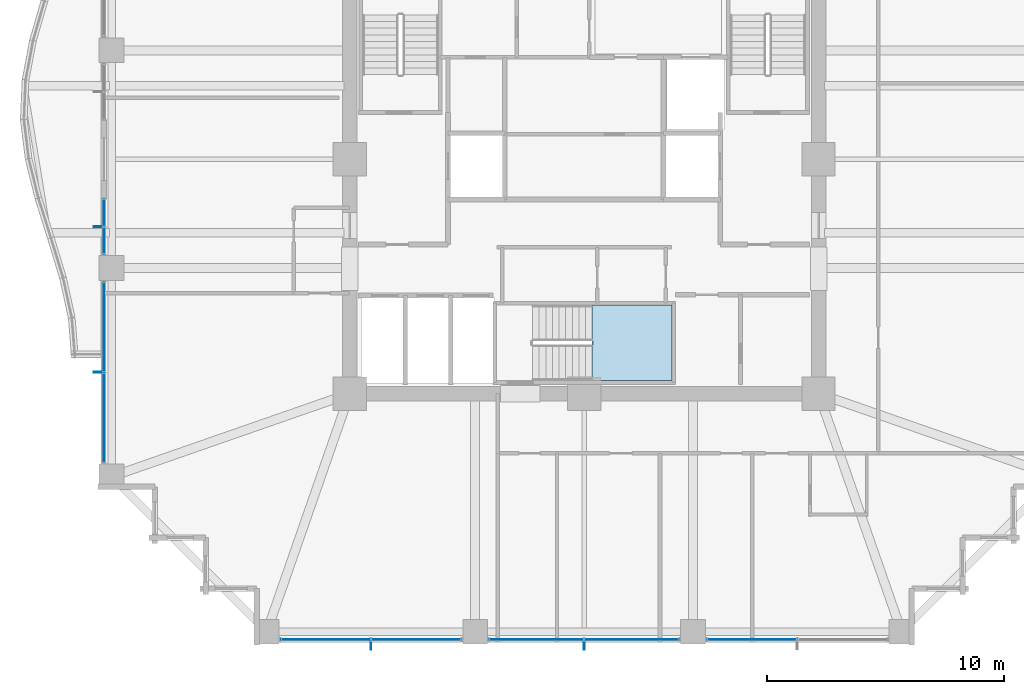
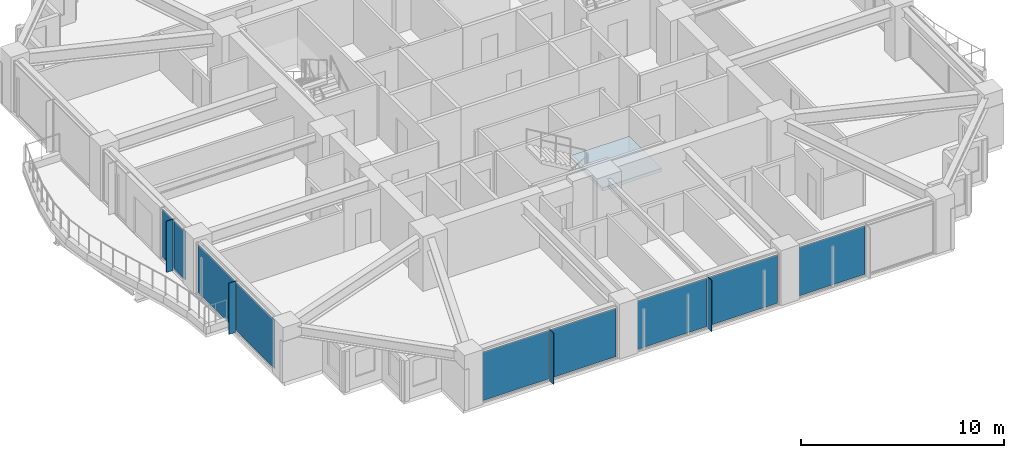
# One storey, part 25 of 36: 13 plates, 1 slab, 6 elements without a shape of their own.
"""IFC4 building model written with IfcOpenShell, lengths in metres."""

from ifc_helpers import new_model, si_unit, direction, frame, origin, origin_2d, place, context, subcontext, project, spatial, polyline, rectangle, outline, extrude, material, layer, layer_set, type_object, element, aggregate, save


model = new_model("IFC4")

# Units and contexts
model_context = context("Model", 3, precision=1e-05, world=origin(), true_north=direction((0.0, 1.0)))
body_context = subcontext(model_context, "Body", "Model", "MODEL_VIEW")
ifc_project = project(units=[si_unit("LENGTHUNIT", "METRE"), si_unit("AREAUNIT", "SQUARE_METRE"), si_unit("VOLUMEUNIT", "CUBIC_METRE"), si_unit("PLANEANGLEUNIT", "RADIAN"), si_unit("MASSUNIT", "GRAM", prefix="KILO")], contexts=[model_context])

# Site, building, storey
site_placement = place(None, origin())
site = spatial("IfcSite", under=ifc_project, at=site_placement, CompositionType="ELEMENT")
building_placement = place(site_placement, origin())
building = spatial("IfcBuilding", under=site, at=building_placement, Name="Kolvaren Belvedere", CompositionType="ELEMENT")
storey_placement = place(building_placement, frame((0.0, 0.0, 95.300048828125)))
storey = spatial("IfcBuildingStorey", under=building, at=storey_placement, Name="L27", CompositionType="ELEMENT", Elevation=95.300048828125)

# Curtain wall, plate
ifc_material_1 = material(Name="Anodised pale-metal aluminium AA 6063-T6", Category="aluminium")
curtain_wall_type = type_object("IfcCurtainWallType", Name="CW-Z2-MID", PredefinedType="NOTDEFINED", material=ifc_material_1)
curtain_wall_1_placement = place(storey_placement, origin())
curtain_wall_1 = element("IfcCurtainWall", 1, at=curtain_wall_1_placement, inside=storey, type_object=curtain_wall_type, Name="L27 Unitised Curtain Wall FCW-L27-S-B1", PredefinedType="NOTDEFINED")
ifc_material_2 = material(Name="Low-iron triple insulated glass", Category="glass")
ifc_layer_1 = layer(ifc_material_2, 0.028076171875)
ifc_layer_set_1 = layer_set([ifc_layer_1], Name="Low-iron triple insulated glass")
plate_type_1 = type_object("IfcPlateType", Name="CW-PNL-VIS28", PredefinedType="CURTAIN_PANEL", material=ifc_layer_set_1)
plate_1_placement = place(storey_placement, frame((7.0888671875, -20.280029296875, 0.080078125), z_axis=(0.0, 0.0, 1.0), x_axis=(-1.0, 0.0, 0.0)))
plate_1 = element("IfcPlate", 2, at=plate_1_placement, type_object=plate_type_1, Name="FCW-L27-S-B1 Vision Glazing Panel 2", PredefinedType="CURTAIN_PANEL", context=body_context, shape_type="SweptSolid", body=[
    extrude(rectangle(XDim=3.742431640625, YDim=0.028076171875, at=origin_2d()), origin(), (0.0, 0.0, 1.0), 2.919921875),
])
aggregate(curtain_wall_1, [plate_1])

# Curtain wall, plates
curtain_wall_2_placement = place(storey_placement, origin())
curtain_wall_2 = element("IfcCurtainWall", 3, at=curtain_wall_2_placement, inside=storey, type_object=curtain_wall_type, Name="L27 Unitised Curtain Wall FCW-L27-S-B2", PredefinedType="NOTDEFINED")
plate_2_placement = place(storey_placement, frame((2.01123046875, -20.280029296875, 0.080078125), z_axis=(0.0, 0.0, 1.0), x_axis=(-1.0, 0.0, 0.0)))
plate_2 = element("IfcPlate", 4, at=plate_2_placement, type_object=plate_type_1, Name="FCW-L27-S-B2 Vision Glazing Panel 1", PredefinedType="CURTAIN_PANEL", context=body_context, shape_type="SweptSolid", body=[
    extrude(rectangle(XDim=3.9423828125, YDim=0.028076171875, at=origin_2d()), origin(), (0.0, 0.0, 1.0), 2.919921875),
])
plate_3_placement = place(storey_placement, frame((-2.01123046875, -20.280029296875, 0.080078125), z_axis=(0.0, 0.0, 1.0), x_axis=(-1.0, 0.0, 0.0)))
plate_3 = element("IfcPlate", 5, at=plate_3_placement, type_object=plate_type_1, Name="FCW-L27-S-B2 Vision Glazing Panel 2", PredefinedType="CURTAIN_PANEL", context=body_context, shape_type="SweptSolid", body=[
    extrude(rectangle(XDim=3.9423828125, YDim=0.028076171875, at=origin_2d()), origin(), (0.0, 0.0, 1.0), 2.919921875),
])
aggregate(curtain_wall_2, [plate_2, plate_3])

curtain_wall_3_placement = place(storey_placement, origin())
curtain_wall_3 = element("IfcCurtainWall", 6, at=curtain_wall_3_placement, inside=storey, type_object=curtain_wall_type, Name="L27 Unitised Curtain Wall FCW-L27-S-B3", PredefinedType="NOTDEFINED")
plate_4_placement = place(storey_placement, frame((-7.0888671875, -20.280029296875, 0.080078125), z_axis=(0.0, 0.0, 1.0), x_axis=(-1.0, 0.0, 0.0)))
plate_4 = element("IfcPlate", 7, at=plate_4_placement, type_object=plate_type_1, Name="FCW-L27-S-B3 Vision Glazing Panel 1", PredefinedType="CURTAIN_PANEL", context=body_context, shape_type="SweptSolid", body=[
    extrude(rectangle(XDim=3.742431640625, YDim=0.028076171875, at=origin_2d()), origin(), (0.0, 0.0, 1.0), 2.919921875),
])
plate_5_placement = place(storey_placement, frame((-10.9111328125, -20.280029296875, 0.080078125), z_axis=(0.0, 0.0, 1.0), x_axis=(-1.0, 0.0, 0.0)))
plate_5 = element("IfcPlate", 8, at=plate_5_placement, type_object=plate_type_1, Name="FCW-L27-S-B3 Vision Glazing Panel 2", PredefinedType="CURTAIN_PANEL", context=body_context, shape_type="SweptSolid", body=[
    extrude(rectangle(XDim=3.742431640625, YDim=0.028076171875, at=origin_2d()), origin(), (0.0, 0.0, 1.0), 2.919921875),
])
aggregate(curtain_wall_3, [plate_4, plate_5])

curtain_wall_4_placement = place(storey_placement, origin())
curtain_wall_4 = element("IfcCurtainWall", 9, at=curtain_wall_4_placement, inside=storey, type_object=curtain_wall_type, Name="L27 Unitised Curtain Wall FCW-L27-W1-B1", PredefinedType="NOTDEFINED")
plate_6_placement = place(storey_placement, frame((-20.280029296875, -10.9111328125, 0.080078125), z_axis=(0.0, 0.0, 1.0), x_axis=(0.0, 1.0, 0.0)))
plate_6 = element("IfcPlate", 10, at=plate_6_placement, type_object=plate_type_1, Name="FCW-L27-W1-B1 Vision Glazing Panel 1", PredefinedType="CURTAIN_PANEL", context=body_context, shape_type="SweptSolid", body=[
    extrude(rectangle(XDim=3.742431640625, YDim=0.028076171875, at=origin_2d()), origin(), (0.0, 0.0, 1.0), 2.919921875),
])
plate_7_placement = place(storey_placement, frame((-20.280029296875, -7.0888671875, 0.080078125), z_axis=(0.0, 0.0, 1.0), x_axis=(0.0, 1.0, 0.0)))
plate_7 = element("IfcPlate", 11, at=plate_7_placement, type_object=plate_type_1, Name="FCW-L27-W1-B1 Vision Glazing Panel 2", PredefinedType="CURTAIN_PANEL", context=body_context, shape_type="SweptSolid", body=[
    extrude(rectangle(XDim=3.742431640625, YDim=0.028076171875, at=origin_2d()), origin(), (0.0, 0.0, 1.0), 2.919921875),
])
aggregate(curtain_wall_4, [plate_6, plate_7])

curtain_wall_5_placement = place(storey_placement, origin())
curtain_wall_5 = element("IfcCurtainWall", 12, at=curtain_wall_5_placement, inside=storey, type_object=curtain_wall_type, Name="L27 Unitised Curtain Wall FCW-L27-W1-B2", PredefinedType="NOTDEFINED")
plate_8_placement = place(storey_placement, frame((-20.280029296875, -3.43701171875, 0.080078125), z_axis=(0.0, 0.0, 1.0), x_axis=(0.0, 1.0, 0.0)))
plate_8 = element("IfcPlate", 13, at=plate_8_placement, type_object=plate_type_1, Name="FCW-L27-W1-B2 Vision Glazing Panel 1", PredefinedType="CURTAIN_PANEL", context=body_context, shape_type="SweptSolid", body=[
    extrude(rectangle(XDim=1.09130859375, YDim=0.028076171875, at=origin_2d()), origin(), (0.0, 0.0, 1.0), 2.919921875),
])
plate_9_placement = place(storey_placement, frame((-20.280029296875, -2.265625, 0.080078125), z_axis=(0.0, 0.0, 1.0), x_axis=(0.0, 1.0, 0.0)))
plate_9 = element("IfcPlate", 14, at=plate_9_placement, type_object=plate_type_1, Name="FCW-L27-W1-B2 Vision Glazing Panel 2", PredefinedType="CURTAIN_PANEL", context=body_context, shape_type="SweptSolid", body=[
    extrude(rectangle(XDim=1.09130859375, YDim=0.028076171875, at=origin_2d()), origin(), (0.0, 0.0, 1.0), 2.919921875),
])
aggregate(curtain_wall_5, [plate_8, plate_9])

# Plates
ifc_material_3 = material(Name="Anodised pale-metal aluminium AA 6063-T6", Category="aluminium")
ifc_layer_2 = layer(ifc_material_3, 0.033935546875)
ifc_layer_set_2 = layer_set([ifc_layer_2], Name="Anodised pale-metal aluminium AA 6063-T6")
plate_type_2 = type_object("IfcPlateType", Name="FIN-VERT-380", PredefinedType="USERDEFINED", material=ifc_layer_set_2)
for number, where, z_axis, x_axis, name in (
    (15, (0.0, -20.52490234375, 0.0), (0.0, 0.0, 1.0), (0.0, 1.0, 0.0), "L27 Pale-Metal Vertical Shading Fin FCW-L27-S-B2-1"),
    (16, (-9.0, -20.52490234375, 0.0), (0.0, 0.0, 1.0), (0.0, 1.0, 0.0), "L27 Pale-Metal Vertical Shading Fin FCW-L27-S-B3-1"),
    (17, (-20.52490234375, -9.0, 0.0), (0.0, 0.0, 1.0), (1.0, 0.0, 0.0), "L27 Pale-Metal Vertical Shading Fin FCW-L27-W1-B1-1"),
    (18, (-20.52490234375, -2.851318359375, 0.0), (0.0, 0.0, 1.0), (1.0, 0.0, 0.0), "L27 Pale-Metal Vertical Shading Fin FCW-L27-W1-B2-1"),
):
    element("IfcPlate", number, at=place(storey_placement, frame(where, z_axis=z_axis, x_axis=x_axis)), inside=storey, type_object=plate_type_2, Name=name, ObjectType="VERTICAL FIN", PredefinedType="USERDEFINED", context=body_context, shape_type="SweptSolid", body=[
        extrude(rectangle(XDim=0.3798828125, YDim=0.033935546875, at=origin_2d()), origin(), (0.0, 0.0, 1.0), 3.080078125),
    ])

# Stair, slab
ifc_material_4 = material(Name="Concrete C50/60", Category="concrete")
stair_type = type_object("IfcStairType", Name="ST-CORE-1520", PredefinedType="HALF_TURN_STAIR", material=ifc_material_4)
stair_placement = place(storey_placement, origin())
stair = element("IfcStair", 19, at=stair_placement, inside=storey, type_object=stair_type, Name="L27 Protected Exit Stair ST-3", PredefinedType="HALF_TURN_STAIR")
ifc_material_5 = material(Name="Concrete C50/60", Category="concrete")
ifc_layer_3 = layer(ifc_material_5, 0.260009765625)
ifc_layer_set_3 = layer_set([ifc_layer_3], Name="Concrete C50/60")
slab_type = type_object("IfcSlabType", Name="SL-LAND-260", PredefinedType="LANDING", material=ifc_layer_set_3)
slab_placement = place(storey_placement, frame((0.0, 0.0, 1.449951171875)))
slab = element("IfcSlab", 20, at=slab_placement, type_object=slab_type, Name="ST-3 landing 1", PredefinedType="LANDING", context=body_context, shape_type="SweptSolid", body=[
    extrude(outline(polyline([(0.340087890625, -9.35009765625), (3.699951171875, -9.35009765625), (3.699951171875, -6.159912109375), (0.340087890625, -6.159912109375), (0.340087890625, -9.35009765625)])), origin(), (0.0, 0.0, 1.0), 0.199951171875),
])
aggregate(stair, [slab])

save(model, "model.ifc")
